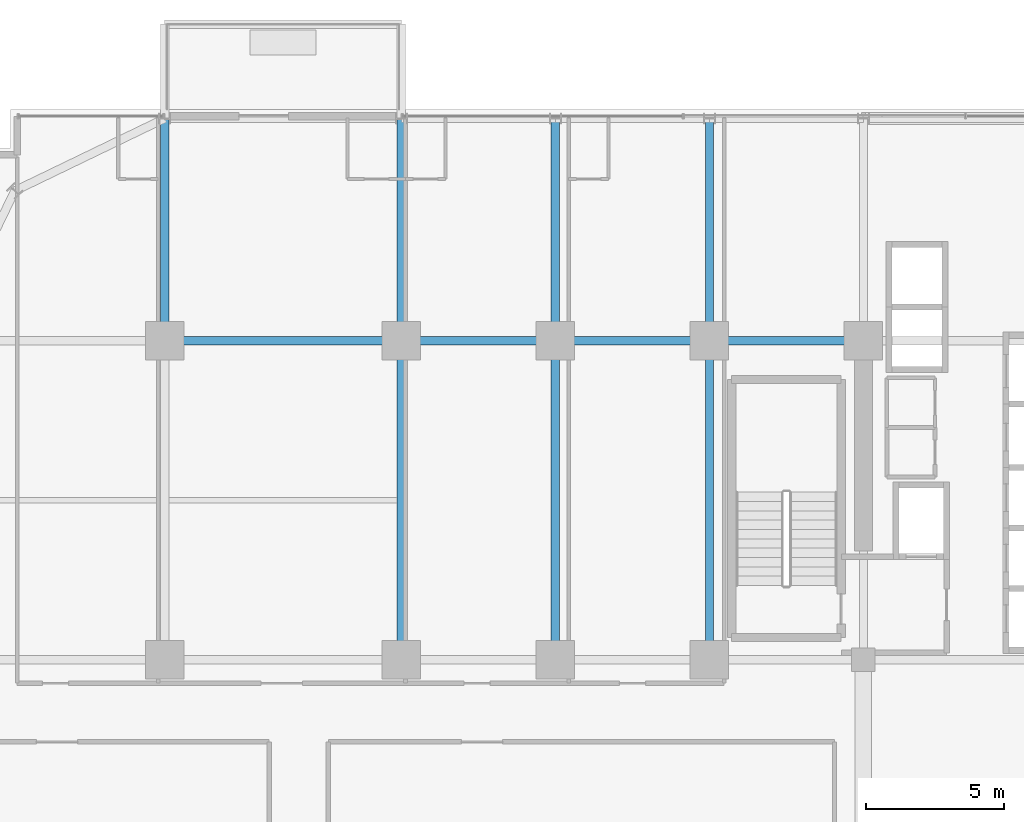
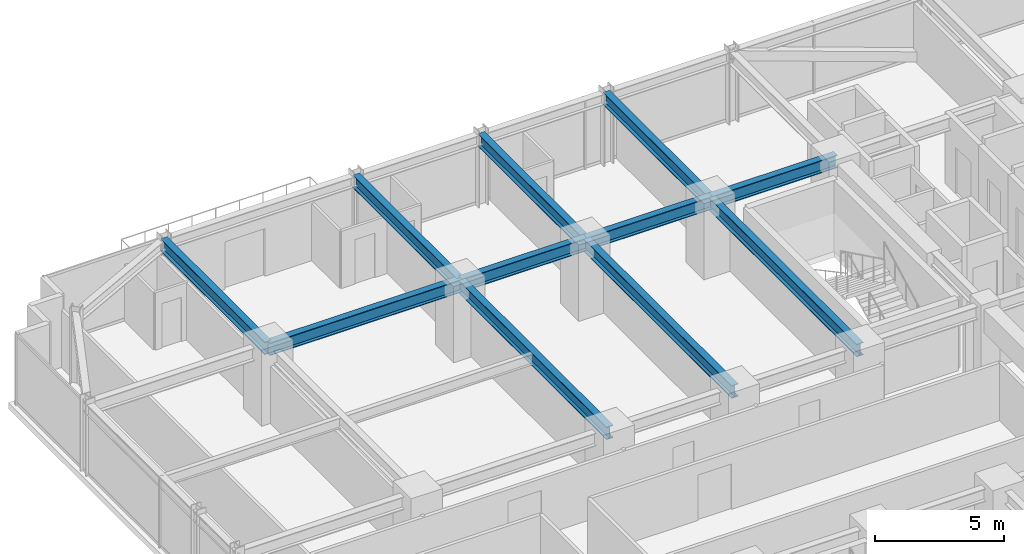
# One storey, part 21 of 35: 11 beams.
"""IFC4 building model written with IfcOpenShell, lengths in metres."""

from ifc_helpers import new_model, si_unit, direction, frame, origin, origin_2d, place, context, subcontext, project, spatial, i_section, extrude, source, transform, mapped, material, material_profile, profile_set, type_object, element, save


model = new_model("IFC4")

# Units and contexts
model_context = context("Model", 3, precision=1e-05, world=origin(), true_north=direction((0.0, 1.0)))
body_context = subcontext(model_context, "Body", "Model", "MODEL_VIEW")
ifc_project = project(units=[si_unit("LENGTHUNIT", "METRE"), si_unit("AREAUNIT", "SQUARE_METRE"), si_unit("VOLUMEUNIT", "CUBIC_METRE"), si_unit("PLANEANGLEUNIT", "RADIAN"), si_unit("MASSUNIT", "GRAM", prefix="KILO")], contexts=[model_context])

# Site, building, storey
site_placement = place(None, origin())
site = spatial("IfcSite", under=ifc_project, at=site_placement, CompositionType="ELEMENT")
building_placement = place(site_placement, origin())
building = spatial("IfcBuilding", under=site, at=building_placement, Name="Nahalor Promenade Grand Hotel", CompositionType="ELEMENT")
storey_placement = place(building_placement, frame((0.0, 0.0, 39.699951171875)))
storey = spatial("IfcBuildingStorey", under=building, at=storey_placement, Name="L08", CompositionType="ELEMENT", Elevation=39.699951171875)

# Beams
ifc_material = material(Name="Steel S355JR", Category="steel")
ifc_material_profile = material_profile(ifc_material, i_section(OverallWidth=0.3, OverallDepth=0.6, WebThickness=0.0155, FlangeThickness=0.03, at=origin_2d()), Name="HEB 600")
ifc_profile_set = profile_set([ifc_material_profile], Name="Steel S355JR")
beam_type = type_object("IfcBeamType", Name="Beam-Girder-HEB600", PredefinedType="BEAM", material=ifc_profile_set)
shared_shape_1 = source(origin(), body_context, "Body", "SweptSolid", [
    extrude(i_section(OverallWidth=0.3, OverallDepth=0.6, WebThickness=0.0155, FlangeThickness=0.03, at=origin_2d()), origin(), (0.0, 0.0, 1.0), 8.60009765625),
])
beam_1_placement = place(storey_placement, frame((-17.0, 17.0, 3.070068359375), z_axis=(1.0, 0.0, 0.0), x_axis=(0.0, 1.0, 0.0)))
element("IfcBeam", 1, at=beam_1_placement, inside=storey, type_object=beam_type, Name="BM-L08-GX-3-1", PredefinedType="BEAM", context=body_context, shape_type="MappedRepresentation", body=[
    mapped(shared_shape_1, transform((0.0, 0.0, 0.0), scale=1.0)),
])
shared_shape_2 = source(origin(), body_context, "Body", "SweptSolid", [
    extrude(i_section(OverallWidth=0.3, OverallDepth=0.6, WebThickness=0.0155, FlangeThickness=0.03, at=origin_2d()), origin(), (0.0, 0.0, 1.0), 5.599853515625),
])
for number, where, z_axis, x_axis, name in (
    (2, (-8.39990234375, 17.0, 3.070068359375), (1.0, 0.0, 0.0), (0.0, 1.0, 0.0), "BM-L08-GX-3-2"),
    (3, (2.800048828125, 17.0, 3.070068359375), (1.0, 0.0, 0.0), (0.0, 1.0, 0.0), "BM-L08-GX-3-4"),
):
    element("IfcBeam", number, at=place(storey_placement, frame(where, z_axis=z_axis, x_axis=x_axis)), inside=storey, type_object=beam_type, Name=name, PredefinedType="BEAM", context=body_context, shape_type="MappedRepresentation", body=[
        mapped(shared_shape_2, transform((0.0, 0.0, 0.0), scale=1.0)),
    ])
shared_shape_3 = source(origin(), body_context, "Body", "SweptSolid", [
    extrude(i_section(OverallWidth=0.3, OverallDepth=0.6, WebThickness=0.0155, FlangeThickness=0.03, at=origin_2d()), origin(), (0.0, 0.0, 1.0), 5.60009765625),
])
beam_2_placement = place(storey_placement, frame((-2.800048828125, 17.0, 3.070068359375), z_axis=(1.0, 0.0, 0.0), x_axis=(0.0, 1.0, 0.0)))
element("IfcBeam", 4, at=beam_2_placement, inside=storey, type_object=beam_type, Name="BM-L08-GX-3-3", PredefinedType="BEAM", context=body_context, shape_type="MappedRepresentation", body=[
    mapped(shared_shape_3, transform((0.0, 0.0, 0.0), scale=1.0)),
])
shared_shape_4 = source(origin(), body_context, "Body", "SweptSolid", [
    extrude(i_section(OverallWidth=0.3, OverallDepth=0.6, WebThickness=0.0155, FlangeThickness=0.03, at=origin_2d()), origin(), (0.0, 0.0, 1.0), 11.60009765625),
])
for number, where, z_axis, x_axis, name in (
    (5, (-8.39990234375, 5.39990234375, 3.070068359375), (0.0, 1.0, 0.0), (-1.0, 0.0, 0.0), "BM-L08-GY-1-3"),
    (6, (-2.800048828125, 5.39990234375, 3.070068359375), (0.0, 1.0, 0.0), (-1.0, 0.0, 0.0), "BM-L08-GY-2-3"),
    (7, (2.800048828125, 5.39990234375, 3.070068359375), (0.0, 1.0, 0.0), (-1.0, 0.0, 0.0), "BM-L08-GY-3-3"),
):
    element("IfcBeam", number, at=place(storey_placement, frame(where, z_axis=z_axis, x_axis=x_axis)), inside=storey, type_object=beam_type, Name=name, PredefinedType="BEAM", context=body_context, shape_type="MappedRepresentation", body=[
        mapped(shared_shape_4, transform((0.0, 0.0, 0.0), scale=1.0)),
    ])
shared_shape_5 = source(origin(), body_context, "Body", "SweptSolid", [
    extrude(i_section(OverallWidth=0.3, OverallDepth=0.6, WebThickness=0.0155, FlangeThickness=0.03, at=origin_2d()), origin(), (0.0, 0.0, 1.0), 8.080078125),
])
for number, where, z_axis, x_axis, name in (
    (8, (-17.0, 17.0, 3.070068359375), (0.0, 1.0, 0.0), (-1.0, 0.0, 0.0), "BM-L08-GY-0-4"),
    (9, (-8.39990234375, 17.0, 3.070068359375), (0.0, 1.0, 0.0), (-1.0, 0.0, 0.0), "BM-L08-GY-1-4"),
    (10, (-2.800048828125, 17.0, 3.070068359375), (0.0, 1.0, 0.0), (-1.0, 0.0, 0.0), "BM-L08-GY-2-4"),
    (11, (2.800048828125, 17.0, 3.070068359375), (0.0, 1.0, 0.0), (-1.0, 0.0, 0.0), "BM-L08-GY-3-4"),
):
    element("IfcBeam", number, at=place(storey_placement, frame(where, z_axis=z_axis, x_axis=x_axis)), inside=storey, type_object=beam_type, Name=name, PredefinedType="BEAM", context=body_context, shape_type="MappedRepresentation", body=[
        mapped(shared_shape_5, transform((0.0, 0.0, 0.0), scale=1.0)),
    ])

save(model, "model.ifc")
